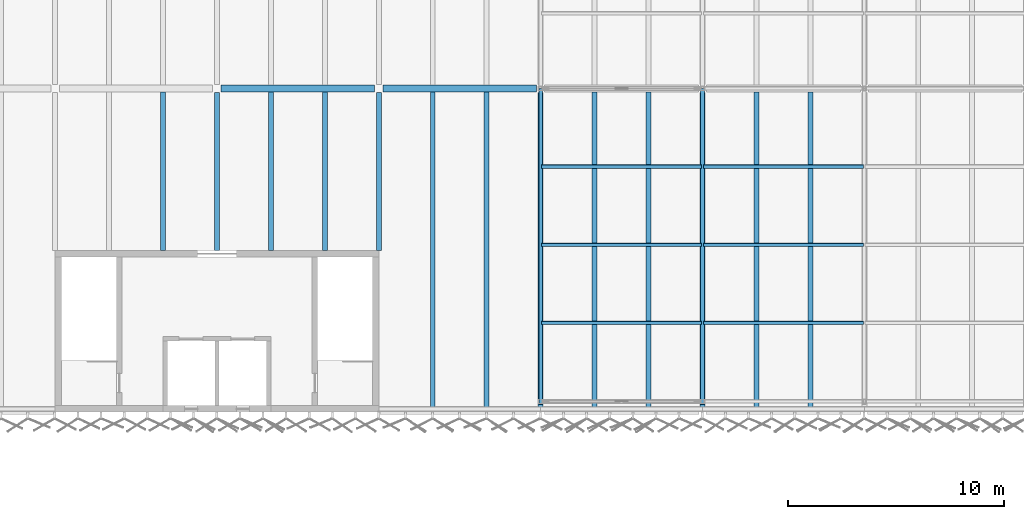
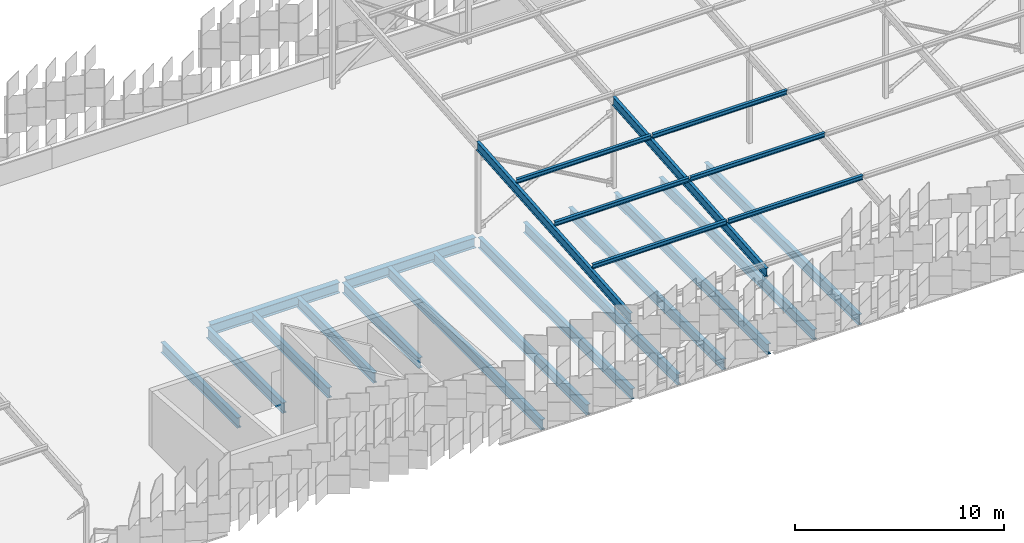
# One storey, part 46 of 483: 15 beams, 8 members.
"""IFC4 building model written with IfcOpenShell, lengths in metres."""

from ifc_helpers import new_model, si_unit, direction, frame, origin, origin_2d, place, context, subcontext, project, spatial, i_section, extrude, material, material_profile, profile_set, type_object, element, save


model = new_model("IFC4")

# Units and contexts
model_context = context("Model", 3, precision=1e-05, world=origin(), true_north=direction((0.0, 1.0)))
body_context = subcontext(model_context, "Body", "Model", "MODEL_VIEW")
ifc_project = project(units=[si_unit("LENGTHUNIT", "METRE"), si_unit("AREAUNIT", "SQUARE_METRE"), si_unit("VOLUMEUNIT", "CUBIC_METRE"), si_unit("PLANEANGLEUNIT", "RADIAN"), si_unit("MASSUNIT", "GRAM", prefix="KILO")], contexts=[model_context])

# Site, building, storey
site_placement = place(None, origin())
site = spatial("IfcSite", under=ifc_project, at=site_placement, CompositionType="ELEMENT")
building_placement = place(site_placement, origin())
building = spatial("IfcBuilding", under=site, at=building_placement, Name="Parallax Yard Mobility Hub", CompositionType="ELEMENT")
storey_placement = place(building_placement, frame((0.0, 0.0, 13.199951171875)))
storey = spatial("IfcBuildingStorey", under=building, at=storey_placement, Name="L04", CompositionType="ELEMENT", Elevation=13.199951171875)

# Members
ifc_material = material(Name="Steel ASTM A992", Category="steel")
ifc_material_profile_1 = material_profile(ifc_material, i_section(OverallWidth=0.14794921875, OverallDepth=0.26611328125, WebThickness=0.007568359375, FlangeThickness=0.012939453125, at=origin_2d()), Name="W250x45")
ifc_profile_set_1 = profile_set([ifc_material_profile_1], Name="Steel ASTM A992")
member_type_1 = type_object("IfcMemberType", Name="Canopy purlin W250x45", PredefinedType="PURLIN", material=ifc_profile_set_1)
for number, where, z_axis, x_axis, name in (
    (1, (90.0400390625, 116.635498046875, 4.592041015625), (1.0, 0.0, 0.0), (0.0, 0.996815308126, 0.079744852409), "Canopy purlin sector N-B bay 1 line 2"),
    (2, (90.0400390625, 120.260498046875, 4.882080078125), (1.0, 0.0, 0.0), (0.0, 0.996815308126, 0.079744852409), "Canopy purlin sector N-B bay 1 line 3"),
    (3, (90.0400390625, 123.885498046875, 5.172119140625), (1.0, 0.0, 0.0), (0.0, 0.996815308126, 0.079744852409), "Canopy purlin sector N-B bay 1 line 4"),
    (4, (97.5400390625, 116.635498046875, 4.592041015625), (1.0, 0.0, 0.0), (0.0, 0.996815308126, 0.079744852409), "Canopy purlin sector N-B bay 2 line 2"),
    (5, (97.5400390625, 120.260498046875, 4.882080078125), (1.0, 0.0, 0.0), (0.0, 0.996815308126, 0.079744852409), "Canopy purlin sector N-B bay 2 line 3"),
    (6, (97.5400390625, 123.885498046875, 5.172119140625), (1.0, 0.0, 0.0), (0.0, 0.996815308126, 0.079744852409), "Canopy purlin sector N-B bay 2 line 4"),
):
    element("IfcMember", number, at=place(storey_placement, frame(where, z_axis=z_axis, x_axis=x_axis)), inside=storey, type_object=member_type_1, Name=name, PredefinedType="PURLIN", context=body_context, shape_type="SweptSolid", body=[
        extrude(i_section(OverallWidth=0.14794921875, OverallDepth=0.26611328125, WebThickness=0.007568359375, FlangeThickness=0.012939453125, at=origin_2d()), origin(), (0.0, 0.0, 1.0), 7.419921875),
    ])
ifc_material_profile_2 = material_profile(ifc_material, i_section(OverallWidth=0.166015625, OverallDepth=0.529052734375, WebThickness=0.009765625, FlangeThickness=0.013671875, at=origin_2d()), Name="W530x74")
ifc_profile_set_2 = profile_set([ifc_material_profile_2], Name="Steel ASTM A992")
member_type_2 = type_object("IfcMemberType", Name="Canopy rafter W530x74", PredefinedType="RAFTER", material=ifc_profile_set_2)
for number, where, z_axis, x_axis, name in (
    (7, (90.0, 112.87109375, 3.89501953125), (0.0, 0.996814591838, 0.079753805543), (-1.0, 0.0, 0.0), "Canopy rafter N-B1 inner span"),
    (8, (97.5, 112.87109375, 3.89501953125), (0.0, 0.996814591838, 0.079753805543), (-1.0, 0.0, 0.0), "Canopy rafter N-B2 inner span"),
):
    element("IfcMember", number, at=place(storey_placement, frame(where, z_axis=z_axis, x_axis=x_axis)), inside=storey, type_object=member_type_2, Name=name, PredefinedType="RAFTER", context=body_context, shape_type="SweptSolid", body=[
        extrude(i_section(OverallWidth=0.166015625, OverallDepth=0.529052734375, WebThickness=0.009765625, FlangeThickness=0.013671875, at=origin_2d()), origin(), (0.0, 0.0, 1.0), 14.69677734375),
    ])

# Beams
ifc_material_profile_3 = material_profile(ifc_material, i_section(OverallWidth=0.22802734375, OverallDepth=0.60205078125, WebThickness=0.010498046875, FlangeThickness=0.014892578125, FilletRadius=0.0126953125, at=origin_2d()), Name="W610x101")
ifc_profile_set_3 = profile_set([ifc_material_profile_3], Name="Steel ASTM A992")
beam_type_1 = type_object("IfcBeamType", Name="W610x101 secondary beam", PredefinedType="JOIST", material=ifc_profile_set_3)
beam_1_placement = place(storey_placement, frame((77.5, 120.0, -0.44091796875), z_axis=(0.0, 1.0, 0.0), x_axis=(-1.0, 0.0, 0.0)))
element("IfcBeam", 9, at=beam_1_placement, inside=storey, type_object=beam_type_1, Name="Secondary beam B3 level L04, 2.5 m east of line 11 of ramped parking decks, span 1", PredefinedType="JOIST", context=body_context, shape_type="SweptSolid", body=[
    extrude(i_section(OverallWidth=0.22802734375, OverallDepth=0.60205078125, WebThickness=0.010498046875, FlangeThickness=0.014892578125, FilletRadius=0.0126953125, at=origin_2d()), origin(), (0.0, 0.0, 1.0), 7.33740234375),
])
for number, where, z_axis, x_axis, name in (
    (10, (85.0, 112.6044921875, -0.44091796875), (0.0, 1.0, 0.0), (-1.0, 0.0, 0.0), "Secondary beam B3 level L04, 2.5 m east of line 12 of ramped parking decks, span 1"),
    (11, (92.5, 112.6044921875, -0.44091796875), (0.0, 1.0, 0.0), (-1.0, 0.0, 0.0), "Secondary beam B3 level L04, 2.5 m east of line 13 of ramped parking decks, span 1"),
    (12, (100.0, 112.6044921875, -0.44091796875), (0.0, 1.0, 0.0), (-1.0, 0.0, 0.0), "Secondary beam B3 level L04, 2.5 m east of line 14 of ramped parking decks, span 1"),
):
    element("IfcBeam", number, at=place(storey_placement, frame(where, z_axis=z_axis, x_axis=x_axis)), inside=storey, type_object=beam_type_1, Name=name, PredefinedType="JOIST", context=body_context, shape_type="SweptSolid", body=[
        extrude(i_section(OverallWidth=0.22802734375, OverallDepth=0.60205078125, WebThickness=0.010498046875, FlangeThickness=0.014892578125, FilletRadius=0.0126953125, at=origin_2d()), origin(), (0.0, 0.0, 1.0), 14.73291015625),
    ])
for number, where, z_axis, x_axis, name in (
    (13, (72.5, 120.0, -0.44091796875), (0.0, 1.0, 0.0), (-1.0, 0.0, 0.0), "Secondary beam B3 level L04, 5 m east of line 10 of ramped parking decks, span 1"),
    (14, (80.0, 120.0, -0.44091796875), (0.0, 1.0, 0.0), (-1.0, 0.0, 0.0), "Secondary beam B3 level L04, 5 m east of line 11 of ramped parking decks, span 1"),
):
    element("IfcBeam", number, at=place(storey_placement, frame(where, z_axis=z_axis, x_axis=x_axis)), inside=storey, type_object=beam_type_1, Name=name, PredefinedType="JOIST", context=body_context, shape_type="SweptSolid", body=[
        extrude(i_section(OverallWidth=0.22802734375, OverallDepth=0.60205078125, WebThickness=0.010498046875, FlangeThickness=0.014892578125, FilletRadius=0.0126953125, at=origin_2d()), origin(), (0.0, 0.0, 1.0), 7.33740234375),
    ])
for number, where, z_axis, x_axis, name in (
    (15, (87.5, 112.6044921875, -0.44091796875), (0.0, 1.0, 0.0), (-1.0, 0.0, 0.0), "Secondary beam B3 level L04, 5 m east of line 12 of ramped parking decks, span 1"),
    (16, (95.0, 112.6044921875, -0.44091796875), (0.0, 1.0, 0.0), (-1.0, 0.0, 0.0), "Secondary beam B3 level L04, 5 m east of line 13 of ramped parking decks, span 1"),
    (17, (102.5, 112.6044921875, -0.44091796875), (0.0, 1.0, 0.0), (-1.0, 0.0, 0.0), "Secondary beam B3 level L04, 5 m east of line 14 of ramped parking decks, span 1"),
):
    element("IfcBeam", number, at=place(storey_placement, frame(where, z_axis=z_axis, x_axis=x_axis)), inside=storey, type_object=beam_type_1, Name=name, PredefinedType="JOIST", context=body_context, shape_type="SweptSolid", body=[
        extrude(i_section(OverallWidth=0.22802734375, OverallDepth=0.60205078125, WebThickness=0.010498046875, FlangeThickness=0.014892578125, FilletRadius=0.0126953125, at=origin_2d()), origin(), (0.0, 0.0, 1.0), 14.73291015625),
    ])
ifc_material_profile_4 = material_profile(ifc_material, i_section(OverallWidth=0.22900390625, OverallDepth=0.612060546875, WebThickness=0.011962890625, FlangeThickness=0.01953125, FilletRadius=0.0126953125, at=origin_2d()), Name="W610x125")
ifc_profile_set_4 = profile_set([ifc_material_profile_4], Name="Steel ASTM A992")
beam_type_2 = type_object("IfcBeamType", Name="W610x125 girder", PredefinedType="BEAM", material=ifc_profile_set_4)
beam_2_placement = place(storey_placement, frame((75.0, 120.0, -0.446044921875), z_axis=(0.0, 1.0, 0.0), x_axis=(-1.0, 0.0, 0.0)))
element("IfcBeam", 18, at=beam_2_placement, inside=storey, type_object=beam_type_2, Name="Girder G3 level L04, line 11 of ramped parking decks, span 1", PredefinedType="BEAM", context=body_context, shape_type="SweptSolid", body=[
    extrude(i_section(OverallWidth=0.22900390625, OverallDepth=0.612060546875, WebThickness=0.011962890625, FlangeThickness=0.01953125, FilletRadius=0.0126953125, at=origin_2d()), origin(), (0.0, 0.0, 1.0), 7.3095703125),
])
beam_3_placement = place(storey_placement, frame((82.5, 120.0, -0.446044921875), z_axis=(0.0, 1.0, 0.0), x_axis=(-1.0, 0.0, 0.0)))
element("IfcBeam", 19, at=beam_3_placement, inside=storey, type_object=beam_type_2, Name="Girder G3 level L04, line 12 of ramped parking decks, span 1", PredefinedType="BEAM", context=body_context, shape_type="SweptSolid", body=[
    extrude(i_section(OverallWidth=0.22900390625, OverallDepth=0.612060546875, WebThickness=0.011962890625, FlangeThickness=0.01953125, FilletRadius=0.0126953125, at=origin_2d()), origin(), (0.0, 0.0, 1.0), 7.31201171875),
])
beam_4_placement = place(storey_placement, frame((90.0, 112.68408203125, -0.446044921875), z_axis=(0.0, 1.0, 0.0), x_axis=(-1.0, 0.0, 0.0)))
element("IfcBeam", 20, at=beam_4_placement, inside=storey, type_object=beam_type_2, Name="Girder G3 level L04, line 13 of ramped parking decks, span 1", PredefinedType="BEAM", context=body_context, shape_type="SweptSolid", body=[
    extrude(i_section(OverallWidth=0.22900390625, OverallDepth=0.612060546875, WebThickness=0.011962890625, FlangeThickness=0.01953125, FilletRadius=0.0126953125, at=origin_2d()), origin(), (0.0, 0.0, 1.0), 14.6318359375),
])
beam_5_placement = place(storey_placement, frame((97.5, 112.653564453125, -0.446044921875), z_axis=(0.0, 1.0, 0.0), x_axis=(-1.0, 0.0, 0.0)))
element("IfcBeam", 21, at=beam_5_placement, inside=storey, type_object=beam_type_2, Name="Girder G3 level L04, line 14 of ramped parking decks, span 1", PredefinedType="BEAM", context=body_context, shape_type="SweptSolid", body=[
    extrude(i_section(OverallWidth=0.22900390625, OverallDepth=0.612060546875, WebThickness=0.011962890625, FlangeThickness=0.01953125, FilletRadius=0.0126953125, at=origin_2d()), origin(), (0.0, 0.0, 1.0), 14.662353515625),
])
ifc_material_profile_5 = material_profile(ifc_material, i_section(OverallWidth=0.324951171875, OverallDepth=0.612060546875, WebThickness=0.0126953125, FlangeThickness=0.01904296875, FilletRadius=0.0126953125, at=origin_2d()), Name="W610x155")
ifc_profile_set_5 = profile_set([ifc_material_profile_5], Name="Steel ASTM A992")
beam_type_3 = type_object("IfcBeamType", Name="W610x155 longitudinal beam", PredefinedType="BEAM", material=ifc_profile_set_5)
beam_6_placement = place(storey_placement, frame((75.197998046875, 127.5, -0.446044921875), z_axis=(1.0, 0.0, 0.0), x_axis=(0.0, 1.0, 0.0)))
element("IfcBeam", 22, at=beam_6_placement, inside=storey, type_object=beam_type_3, Name="Longitudinal beam SB8 level L04, line T of ramped parking decks, span 7", PredefinedType="BEAM", context=body_context, shape_type="SweptSolid", body=[
    extrude(i_section(OverallWidth=0.324951171875, OverallDepth=0.612060546875, WebThickness=0.0126953125, FlangeThickness=0.01904296875, FilletRadius=0.0126953125, at=origin_2d()), origin(), (0.0, 0.0, 1.0), 7.10498046875),
])
beam_7_placement = place(storey_placement, frame((82.697021484375, 127.5, -0.446044921875), z_axis=(1.0, 0.0, 0.0), x_axis=(0.0, 1.0, 0.0)))
element("IfcBeam", 23, at=beam_7_placement, inside=storey, type_object=beam_type_3, Name="Longitudinal beam SB8 level L04, line T of ramped parking decks, span 8", PredefinedType="BEAM", context=body_context, shape_type="SweptSolid", body=[
    extrude(i_section(OverallWidth=0.324951171875, OverallDepth=0.612060546875, WebThickness=0.0126953125, FlangeThickness=0.01904296875, FilletRadius=0.0126953125, at=origin_2d()), origin(), (0.0, 0.0, 1.0), 7.116455078125),
])

save(model, "model.ifc")
